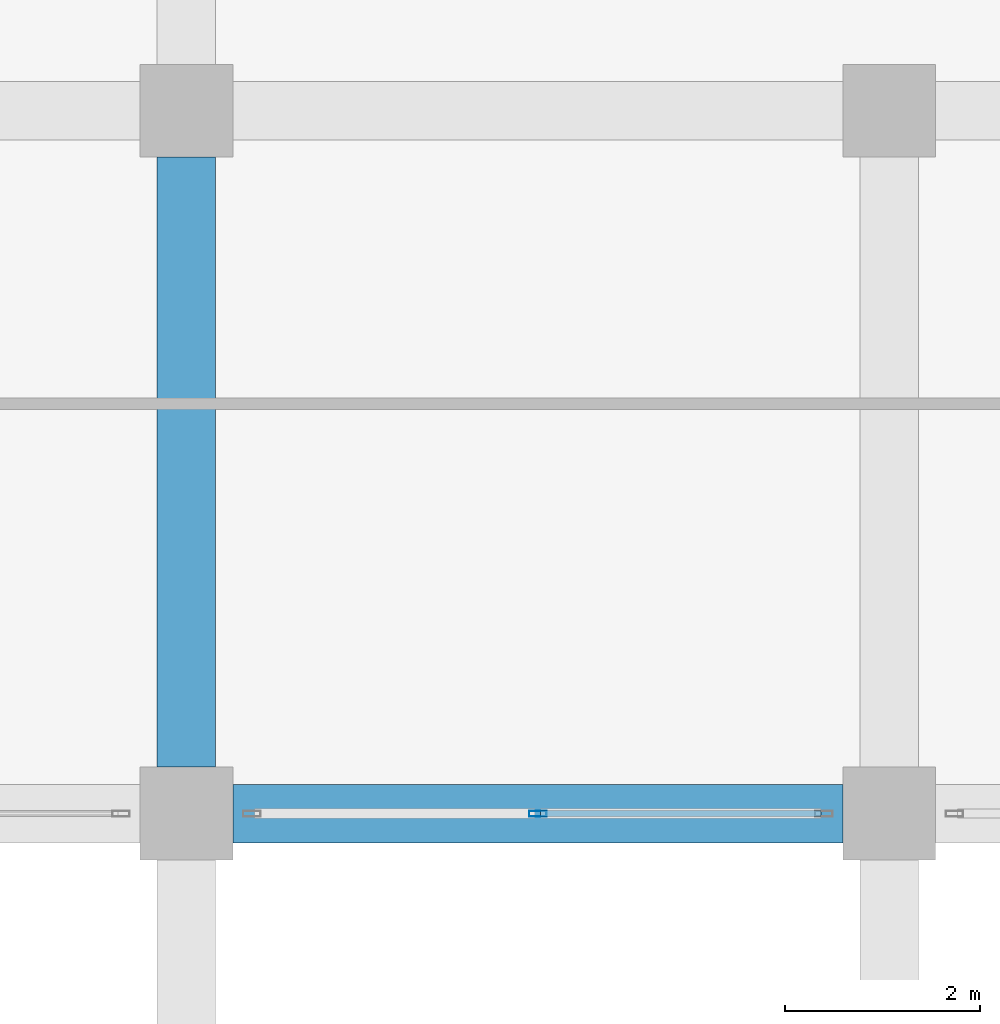
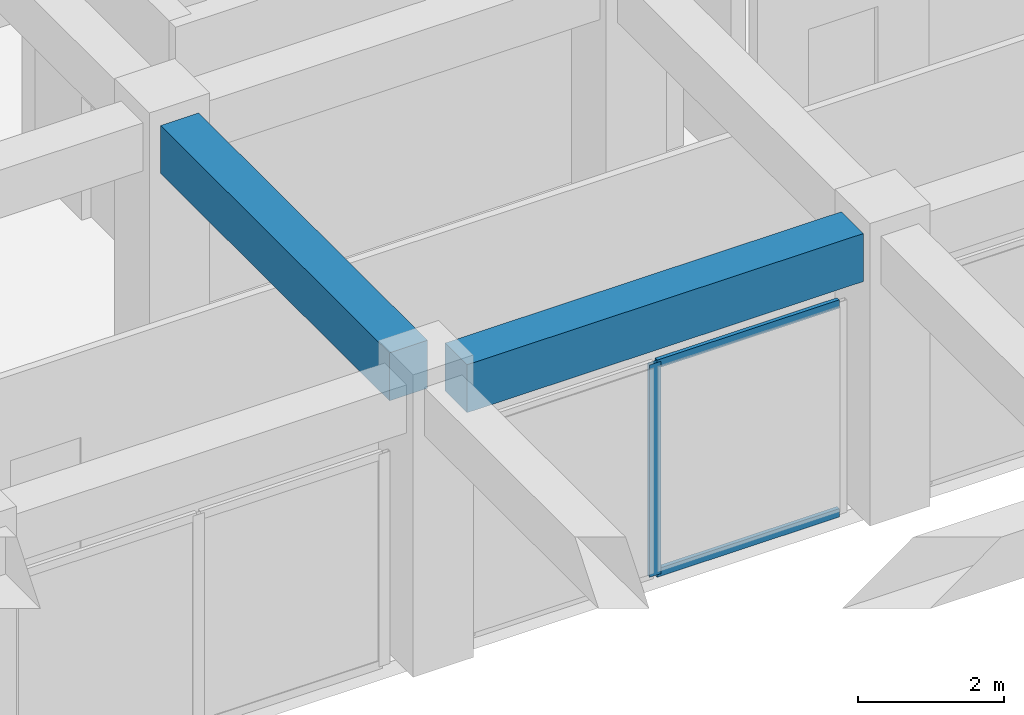
# One storey, part 5 of 54: 3 members, 2 beams, 1 element without a shape of its own.
"""IFC4 building model written with IfcOpenShell, lengths in metres."""

from ifc_helpers import new_model, si_unit, direction, frame, origin, origin_2d, place, context, subcontext, project, spatial, rectangle, hollow_rectangle, extrude, material, material_profile, profile_set, type_object, element, aggregate, save


model = new_model("IFC4")

# Units and contexts
model_context = context("Model", 3, precision=1e-05, world=origin(), true_north=direction((0.0, 1.0)))
body_context = subcontext(model_context, "Body", "Model", "MODEL_VIEW")
ifc_project = project(units=[si_unit("LENGTHUNIT", "METRE"), si_unit("AREAUNIT", "SQUARE_METRE"), si_unit("VOLUMEUNIT", "CUBIC_METRE"), si_unit("PLANEANGLEUNIT", "RADIAN"), si_unit("MASSUNIT", "GRAM", prefix="KILO")], contexts=[model_context])

# Site, building, storey
site_placement = place(None, origin())
site = spatial("IfcSite", under=ifc_project, at=site_placement, CompositionType="ELEMENT")
building_placement = place(site_placement, origin())
building = spatial("IfcBuilding", under=site, at=building_placement, Name="Kazehaya Institute of Natural Sciences", CompositionType="ELEMENT")
storey_placement = place(building_placement, frame((0.0, 0.0, 5.39990234375)))
storey = spatial("IfcBuildingStorey", under=building, at=storey_placement, Name="L01", CompositionType="ELEMENT", Elevation=5.39990234375)

# Beams
ifc_material_1 = material(Name="Concrete Fc36", Category="concrete")
ifc_material_profile_1 = material_profile(ifc_material_1, rectangle(XDim=0.60009765625, YDim=0.800048828125, at=origin_2d()), Name="RC-600x800")
ifc_profile_set_1 = profile_set([ifc_material_profile_1], Name="Concrete Fc36")
beam_type = type_object("IfcBeamType", Name="BM-G-600x800", PredefinedType="BEAM", material=ifc_profile_set_1)
for number, where, z_axis, x_axis, name in (
    (1, (62.27490234375, 14.0, 4.3701171875), (1.0, 0.0, 0.0), (0.0, 1.0, 0.0), "L01 primary X girder BMX-L01-618-140"),
    (2, (61.800048828125, 14.47509765625, 4.3701171875), (0.0, 1.0, 0.0), (-1.0, 0.0, 0.0), "L01 primary Y girder BMY-L01-618-140"),
):
    element("IfcBeam", number, at=place(storey_placement, frame(where, z_axis=z_axis, x_axis=x_axis)), inside=storey, type_object=beam_type, Name=name, PredefinedType="BEAM", context=body_context, shape_type="SweptSolid", body=[
        extrude(rectangle(XDim=0.60009765625, YDim=0.800048828125, at=origin_2d()), origin(), (0.0, 0.0, 1.0), 6.25),
    ])

# Curtain wall, members
ifc_material_2 = material(Name="Aluminium alloy A6063S-T5", Category="aluminium")
curtain_wall_type = type_object("IfcCurtainWallType", Name="CW-SYS-02", PredefinedType="NOTDEFINED", material=ifc_material_2)
curtain_wall_placement = place(storey_placement, origin())
curtain_wall = element("IfcCurtainWall", 3, at=curtain_wall_placement, inside=storey, type_object=curtain_wall_type, Name="L01 unitised curtain wall CW-L01-046", PredefinedType="NOTDEFINED")
ifc_material_profile_2 = material_profile(ifc_material_2, hollow_rectangle(XDim=0.06005859375, YDim=0.179931640625, WallThickness=0.00390625, at=origin_2d()), Name="ALU-60x180x4")
ifc_profile_set_2 = profile_set([ifc_material_profile_2], Name="Aluminium alloy A6063S-T5")
member_type_1 = type_object("IfcMemberType", Name="CWM-180", PredefinedType="MULLION", material=ifc_profile_set_2)
member_1_placement = place(storey_placement, frame((65.39990234375, 14.0, 0.0), z_axis=(0.0, 0.0, 1.0), x_axis=(0.0, -1.0, 0.0)))
member_1 = element("IfcMember", 4, at=member_1_placement, type_object=member_type_1, Name="CW02 mullion 2", PredefinedType="MULLION", context=body_context, shape_type="SweptSolid", body=[
    extrude(hollow_rectangle(XDim=0.06005859375, YDim=0.179931640625, WallThickness=0.00390625, at=origin_2d()), origin(), (0.0, 0.0, 1.0), 3.5400390625),
])
ifc_material_profile_3 = material_profile(ifc_material_2, hollow_rectangle(XDim=0.06005859375, YDim=0.139892578125, WallThickness=0.00341796875, at=origin_2d()), Name="ALU-60x140x3.5")
ifc_profile_set_3 = profile_set([ifc_material_profile_3], Name="Aluminium alloy A6063S-T5")
member_type_2 = type_object("IfcMemberType", Name="CWT-140", PredefinedType="USERDEFINED", material=ifc_profile_set_3)
member_2_placement = place(storey_placement, frame((68.300048828125, 14.0, 0.030029296875), z_axis=(-1.0, 0.0, 0.0), x_axis=(0.0, -1.0, 0.0)))
member_2 = element("IfcMember", 5, at=member_2_placement, type_object=member_type_2, Name="CW02 transom 1.1", ObjectType="TRANSOM", PredefinedType="USERDEFINED", context=body_context, shape_type="SweptSolid", body=[
    extrude(hollow_rectangle(XDim=0.06005859375, YDim=0.139892578125, WallThickness=0.00341796875, at=origin_2d()), origin(), (0.0, 0.0, 1.0), 2.8701171875),
])
member_3_placement = place(storey_placement, frame((68.300048828125, 14.0, 3.510009765625), z_axis=(-1.0, 0.0, 0.0), x_axis=(0.0, -1.0, 0.0)))
member_3 = element("IfcMember", 6, at=member_3_placement, type_object=member_type_2, Name="CW02 transom 1.2", ObjectType="TRANSOM", PredefinedType="USERDEFINED", context=body_context, shape_type="SweptSolid", body=[
    extrude(hollow_rectangle(XDim=0.06005859375, YDim=0.139892578125, WallThickness=0.00341796875, at=origin_2d()), origin(), (0.0, 0.0, 1.0), 2.8701171875),
])
aggregate(curtain_wall, [member_1, member_2, member_3])

save(model, "model.ifc")
